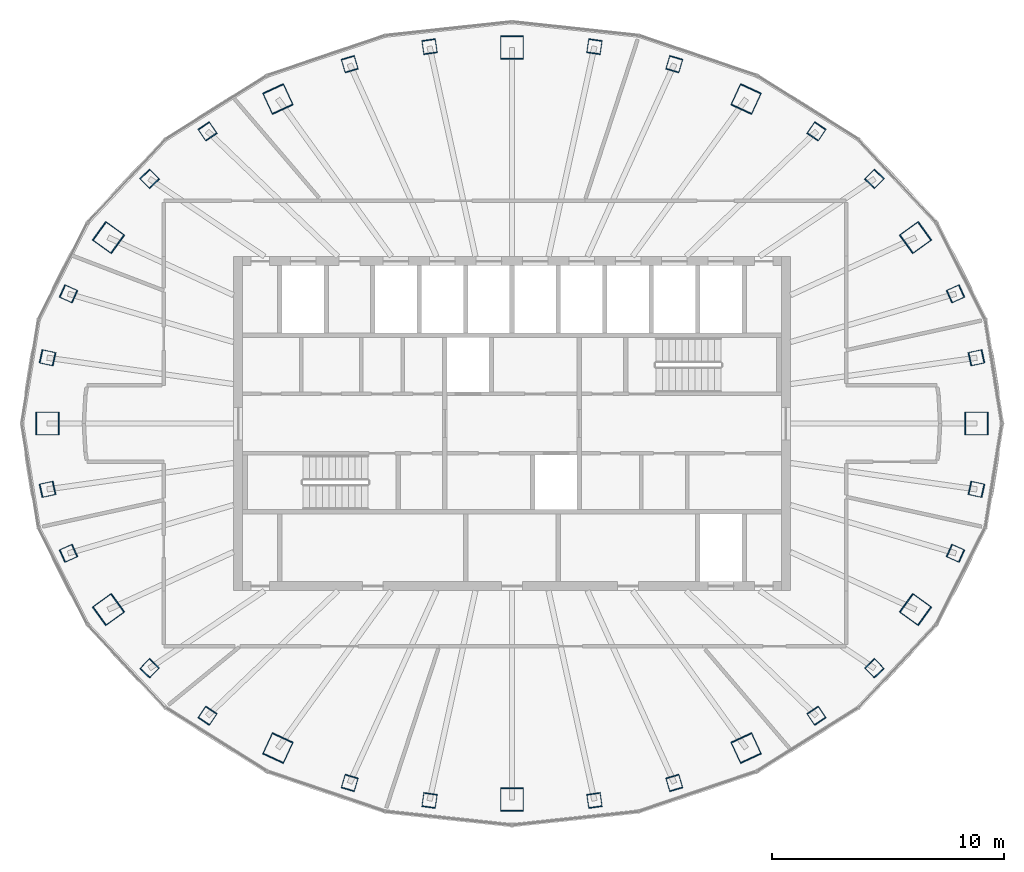
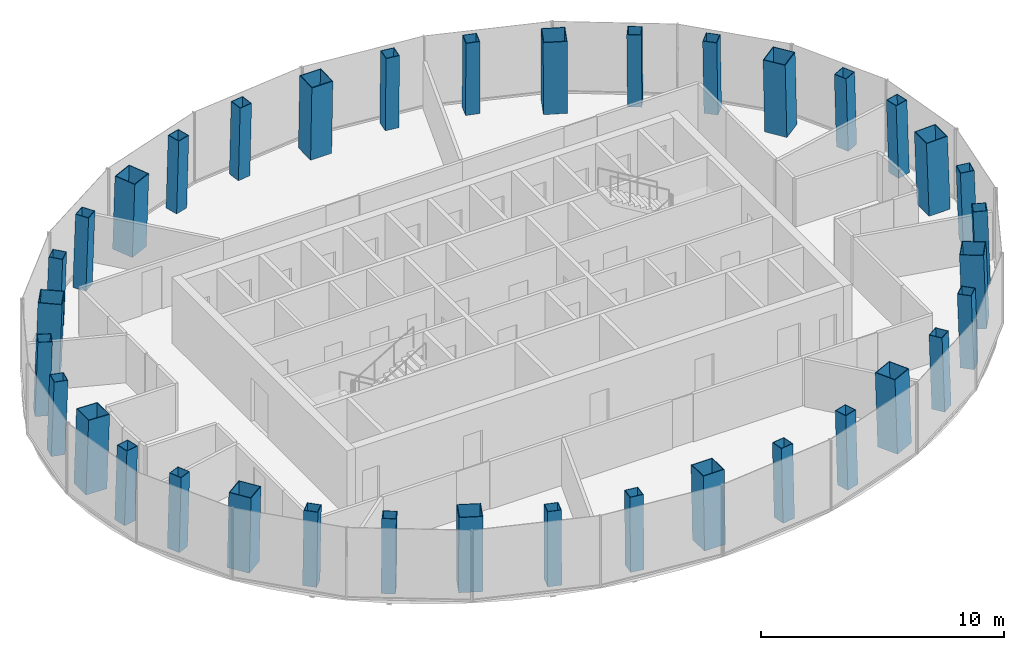
# One storey, part 1 of 11: 36 columns.
"""IFC4 building model written with IfcOpenShell, lengths in metres."""

from ifc_helpers import new_model, si_unit, direction, frame, origin, origin_2d, place, context, subcontext, project, spatial, hollow_rectangle, extrude, material, material_profile, profile_set, type_object, element, save


model = new_model("IFC4")

# Units and contexts
model_context = context("Model", 3, precision=1e-05, world=origin(), true_north=direction((0.0, 1.0)))
body_context = subcontext(model_context, "Body", "Model", "MODEL_VIEW")
ifc_project = project(units=[si_unit("LENGTHUNIT", "METRE"), si_unit("AREAUNIT", "SQUARE_METRE"), si_unit("VOLUMEUNIT", "CUBIC_METRE"), si_unit("PLANEANGLEUNIT", "RADIAN"), si_unit("MASSUNIT", "GRAM", prefix="KILO")], contexts=[model_context])

# Site, building, storey
site_placement = place(None, origin())
site = spatial("IfcSite", under=ifc_project, at=site_placement, CompositionType="ELEMENT")
building_placement = place(site_placement, origin())
building = spatial("IfcBuilding", under=site, at=building_placement, Name="Siaravel Broadcast Tower", CompositionType="ELEMENT")
storey_placement = place(building_placement, frame((0.0, 0.0, 243.0)))
storey = spatial("IfcBuildingStorey", under=building, at=storey_placement, Name="L59", CompositionType="ELEMENT", Elevation=243.0)

# Columns
ifc_material_1 = material(Name="Concrete C70/85", Category="concrete")
ifc_material_profile_1 = material_profile(ifc_material_1, hollow_rectangle(XDim=1.0, YDim=1.0, WallThickness=0.031982421875, at=origin_2d()))
ifc_profile_set_1 = profile_set([ifc_material_profile_1], Name="Concrete C70/85")
column_type_1 = type_object("IfcColumnType", Name="COL-CFT BOX 1000x1000x32", PredefinedType="COLUMN", material=ifc_profile_set_1)
column_1_placement = place(storey_placement, frame((20.031982421875, 0.0, 0.0), z_axis=(-0.034621265, 0.0, 0.999400504), x_axis=(0.0, -1.0, 0.0)))
element("IfcColumn", 1, at=column_1_placement, inside=storey, type_object=column_type_1, Name="Megacolumn MC01", PredefinedType="COLUMN", context=body_context, shape_type="SweptSolid", body=[
    extrude(hollow_rectangle(XDim=1.0, YDim=1.0, WallThickness=0.031982421875, at=origin_2d()), origin(), (0.0, 0.0, 1.0), 3.7021484375),
])
column_2_placement = place(storey_placement, frame((17.401611328125, 8.02099609375, 0.0), z_axis=(-0.029940667, -0.01417895, 0.999451106), x_axis=(0.584467899, -0.811394663, 0.005997926)))
element("IfcColumn", 2, at=column_2_placement, inside=storey, type_object=column_type_1, Name="Megacolumn MC02", PredefinedType="COLUMN", context=body_context, shape_type="SweptSolid", body=[
    extrude(hollow_rectangle(XDim=1.0, YDim=1.0, WallThickness=0.031982421875, at=origin_2d()), origin(), (0.0, 0.0, 1.0), 3.701904296875),
])
column_3_placement = place(storey_placement, frame((10.095703125, 13.995849609375, 0.0), z_axis=(-0.017346173, -0.024535271, 0.999548463), x_axis=(0.907979482, -0.418978889, 0.005472679)))
element("IfcColumn", 3, at=column_3_placement, inside=storey, type_object=column_type_1, Name="Megacolumn MC03", PredefinedType="COLUMN", context=body_context, shape_type="SweptSolid", body=[
    extrude(hollow_rectangle(XDim=1.0, YDim=1.0, WallThickness=0.031982421875, at=origin_2d()), origin(), (0.0, 0.0, 1.0), 3.70166015625),
])
column_4_placement = place(storey_placement, frame((0.0, 16.20947265625, 0.0), z_axis=(0.0, -0.02836206, 0.999597716), x_axis=(1.0, 0.0, 0.0)))
element("IfcColumn", 4, at=column_4_placement, inside=storey, type_object=column_type_1, Name="Megacolumn MC04", PredefinedType="COLUMN", context=body_context, shape_type="SweptSolid", body=[
    extrude(hollow_rectangle(XDim=1.0, YDim=1.0, WallThickness=0.031982421875, at=origin_2d()), origin(), (0.0, 0.0, 1.0), 3.701416015625),
])
column_5_placement = place(storey_placement, frame((-10.095703125, 13.995849609375, 0.0), z_axis=(0.017346173, -0.024535271, 0.999548463), x_axis=(0.907979482, 0.418978889, -0.005472679)))
element("IfcColumn", 5, at=column_5_placement, inside=storey, type_object=column_type_1, Name="Megacolumn MC05", PredefinedType="COLUMN", context=body_context, shape_type="SweptSolid", body=[
    extrude(hollow_rectangle(XDim=1.0, YDim=1.0, WallThickness=0.031982421875, at=origin_2d()), origin(), (0.0, 0.0, 1.0), 3.70166015625),
])
column_6_placement = place(storey_placement, frame((-17.401611328125, 8.02099609375, 0.0), z_axis=(0.029940667, -0.01417895, 0.999451106), x_axis=(0.584467899, 0.811394663, -0.005997926)))
element("IfcColumn", 6, at=column_6_placement, inside=storey, type_object=column_type_1, Name="Megacolumn MC06", PredefinedType="COLUMN", context=body_context, shape_type="SweptSolid", body=[
    extrude(hollow_rectangle(XDim=1.0, YDim=1.0, WallThickness=0.031982421875, at=origin_2d()), origin(), (0.0, 0.0, 1.0), 3.701904296875),
])
column_7_placement = place(storey_placement, frame((-20.031982421875, 0.0, 0.0), z_axis=(0.034621265, 0.0, 0.999400504), x_axis=(0.0, 1.0, 0.0)))
element("IfcColumn", 7, at=column_7_placement, inside=storey, type_object=column_type_1, Name="Megacolumn MC07", PredefinedType="COLUMN", context=body_context, shape_type="SweptSolid", body=[
    extrude(hollow_rectangle(XDim=1.0, YDim=1.0, WallThickness=0.031982421875, at=origin_2d()), origin(), (0.0, 0.0, 1.0), 3.7021484375),
])
column_8_placement = place(storey_placement, frame((-17.401611328125, -8.02099609375, 0.0), z_axis=(0.029940667, 0.01417895, 0.999451106), x_axis=(-0.584467899, 0.811394663, 0.005997926)))
element("IfcColumn", 8, at=column_8_placement, inside=storey, type_object=column_type_1, Name="Megacolumn MC08", PredefinedType="COLUMN", context=body_context, shape_type="SweptSolid", body=[
    extrude(hollow_rectangle(XDim=1.0, YDim=1.0, WallThickness=0.031982421875, at=origin_2d()), origin(), (0.0, 0.0, 1.0), 3.701904296875),
])
column_9_placement = place(storey_placement, frame((-10.095703125, -13.995849609375, 0.0), z_axis=(0.017346173, 0.024535271, 0.999548463), x_axis=(-0.907979482, 0.418978889, 0.005472679)))
element("IfcColumn", 9, at=column_9_placement, inside=storey, type_object=column_type_1, Name="Megacolumn MC09", PredefinedType="COLUMN", context=body_context, shape_type="SweptSolid", body=[
    extrude(hollow_rectangle(XDim=1.0, YDim=1.0, WallThickness=0.031982421875, at=origin_2d()), origin(), (0.0, 0.0, 1.0), 3.70166015625),
])
column_10_placement = place(storey_placement, frame((0.0, -16.20947265625, 0.0), z_axis=(0.0, 0.02836206, 0.999597716), x_axis=(-1.0, 0.0, 0.0)))
element("IfcColumn", 10, at=column_10_placement, inside=storey, type_object=column_type_1, Name="Megacolumn MC10", PredefinedType="COLUMN", context=body_context, shape_type="SweptSolid", body=[
    extrude(hollow_rectangle(XDim=1.0, YDim=1.0, WallThickness=0.031982421875, at=origin_2d()), origin(), (0.0, 0.0, 1.0), 3.701416015625),
])
column_11_placement = place(storey_placement, frame((10.095703125, -13.995849609375, 0.0), z_axis=(-0.017346173, 0.024535271, 0.999548463), x_axis=(-0.907979482, -0.418978889, -0.005472679)))
element("IfcColumn", 11, at=column_11_placement, inside=storey, type_object=column_type_1, Name="Megacolumn MC11", PredefinedType="COLUMN", context=body_context, shape_type="SweptSolid", body=[
    extrude(hollow_rectangle(XDim=1.0, YDim=1.0, WallThickness=0.031982421875, at=origin_2d()), origin(), (0.0, 0.0, 1.0), 3.70166015625),
])
column_12_placement = place(storey_placement, frame((17.401611328125, -8.02099609375, 0.0), z_axis=(-0.029940667, 0.01417895, 0.999451106), x_axis=(-0.584467899, -0.811394663, -0.005997926)))
element("IfcColumn", 12, at=column_12_placement, inside=storey, type_object=column_type_1, Name="Megacolumn MC12", PredefinedType="COLUMN", context=body_context, shape_type="SweptSolid", body=[
    extrude(hollow_rectangle(XDim=1.0, YDim=1.0, WallThickness=0.031982421875, at=origin_2d()), origin(), (0.0, 0.0, 1.0), 3.701904296875),
])
ifc_material_2 = material(Name="Concrete C50/60", Category="concrete")
ifc_material_profile_2 = material_profile(ifc_material_2, hollow_rectangle(XDim=0.60009765625, YDim=0.60009765625, WallThickness=0.02490234375, at=origin_2d()))
ifc_profile_set_2 = profile_set([ifc_material_profile_2], Name="Concrete C50/60")
column_type_2 = type_object("IfcColumnType", Name="COL-CFT BOX 600x600x25", PredefinedType="COLUMN", material=ifc_profile_set_2)
for number, where, z_axis, x_axis, name in (
    (13, (20.02880859375, 2.83740234375, 0.0), (-0.034093903, -0.004945924, 0.999406396), (0.213656716, -0.976905719, 0.002454147), "Perimeter column C01"),
    (14, (19.12646484375, 5.59521484375, 0.0), (-0.032511791, -0.009694185, 0.999424337), (0.410712809, -0.911753578, 0.004516901), "Perimeter column C02"),
):
    element("IfcColumn", number, at=place(storey_placement, frame(where, z_axis=z_axis, x_axis=x_axis)), inside=storey, type_object=column_type_2, Name=name, PredefinedType="COLUMN", context=body_context, shape_type="SweptSolid", body=[
        extrude(hollow_rectangle(XDim=0.60009765625, YDim=0.60009765625, WallThickness=0.02490234375, at=origin_2d()), origin(), (0.0, 0.0, 1.0), 3.7021484375),
    ])
column_13_placement = place(storey_placement, frame((15.629150390625, 10.5537109375, 0.0), z_axis=(-0.026512179, -0.018202391, 0.999482755), x_axis=(0.720866762, -0.693043188, 0.006500067)))
element("IfcColumn", 15, at=column_13_placement, inside=storey, type_object=column_type_2, Name="Perimeter column C03", PredefinedType="COLUMN", context=body_context, shape_type="SweptSolid", body=[
    extrude(hollow_rectangle(XDim=0.60009765625, YDim=0.60009765625, WallThickness=0.02490234375, at=origin_2d()), origin(), (0.0, 0.0, 1.0), 3.701904296875),
])
column_14_placement = place(storey_placement, frame((13.130126953125, 12.6005859375, 0.0), z_axis=(-0.022226124, -0.021764453, 0.999516037), x_axis=(0.829715578, -0.558150887, 0.006296559)))
element("IfcColumn", 16, at=column_14_placement, inside=storey, type_object=column_type_2, Name="Perimeter column C04", PredefinedType="COLUMN", context=body_context, shape_type="SweptSolid", body=[
    extrude(hollow_rectangle(XDim=0.60009765625, YDim=0.60009765625, WallThickness=0.02490234375, at=origin_2d()), origin(), (0.0, 0.0, 1.0), 3.70166015625),
])
for number, where, z_axis, x_axis, name in (
    (17, (6.9990234375, 15.498779296875, 0.0), (-0.011872234, -0.026580613, 0.999576171), (0.959458514, -0.281822883, 0.003901545), "Perimeter column C05"),
    (18, (3.55517578125, 16.254638671875, 0.0), (-0.006002173, -0.027900212, 0.999592693), (0.990208402, -0.139581939, 0.002049872), "Perimeter column C06"),
    (19, (-3.55517578125, 16.254638671875, 0.0), (0.006002173, -0.027900212, 0.999592693), (0.990208402, 0.139581939, -0.002049872), "Perimeter column C07"),
    (20, (-6.9990234375, 15.498779296875, 0.0), (0.011872234, -0.026580613, 0.999576171), (0.959458514, 0.281822883, -0.003901545), "Perimeter column C08"),
):
    element("IfcColumn", number, at=place(storey_placement, frame(where, z_axis=z_axis, x_axis=x_axis)), inside=storey, type_object=column_type_2, Name=name, PredefinedType="COLUMN", context=body_context, shape_type="SweptSolid", body=[
        extrude(hollow_rectangle(XDim=0.60009765625, YDim=0.60009765625, WallThickness=0.02490234375, at=origin_2d()), origin(), (0.0, 0.0, 1.0), 3.701416015625),
    ])
column_15_placement = place(storey_placement, frame((-13.130126953125, 12.6005859375, 0.0), z_axis=(0.022226124, -0.021764453, 0.999516037), x_axis=(0.829715578, 0.558150887, -0.006296559)))
element("IfcColumn", 21, at=column_15_placement, inside=storey, type_object=column_type_2, Name="Perimeter column C09", PredefinedType="COLUMN", context=body_context, shape_type="SweptSolid", body=[
    extrude(hollow_rectangle(XDim=0.60009765625, YDim=0.60009765625, WallThickness=0.02490234375, at=origin_2d()), origin(), (0.0, 0.0, 1.0), 3.70166015625),
])
column_16_placement = place(storey_placement, frame((-15.629150390625, 10.5537109375, 0.0), z_axis=(0.026512179, -0.018202391, 0.999482755), x_axis=(0.720866762, 0.693043188, -0.006500067)))
element("IfcColumn", 22, at=column_16_placement, inside=storey, type_object=column_type_2, Name="Perimeter column C10", PredefinedType="COLUMN", context=body_context, shape_type="SweptSolid", body=[
    extrude(hollow_rectangle(XDim=0.60009765625, YDim=0.60009765625, WallThickness=0.02490234375, at=origin_2d()), origin(), (0.0, 0.0, 1.0), 3.701904296875),
])
for number, where, z_axis, x_axis, name in (
    (23, (-19.12646484375, 5.59521484375, 0.0), (0.032511791, -0.009694185, 0.999424337), (0.410712809, 0.911753578, -0.004516901), "Perimeter column C11"),
    (24, (-20.02880859375, 2.83740234375, 0.0), (0.034093903, -0.004945924, 0.999406396), (0.213656716, 0.976905719, -0.002454147), "Perimeter column C12"),
    (25, (-20.02880859375, -2.83740234375, 0.0), (0.034093903, 0.004945924, 0.999406396), (-0.213656716, 0.976905719, 0.002454147), "Perimeter column C13"),
    (26, (-19.12646484375, -5.59521484375, 0.0), (0.032511791, 0.009694185, 0.999424337), (-0.410712809, 0.911753578, 0.004516901), "Perimeter column C14"),
):
    element("IfcColumn", number, at=place(storey_placement, frame(where, z_axis=z_axis, x_axis=x_axis)), inside=storey, type_object=column_type_2, Name=name, PredefinedType="COLUMN", context=body_context, shape_type="SweptSolid", body=[
        extrude(hollow_rectangle(XDim=0.60009765625, YDim=0.60009765625, WallThickness=0.02490234375, at=origin_2d()), origin(), (0.0, 0.0, 1.0), 3.7021484375),
    ])
column_17_placement = place(storey_placement, frame((-15.629150390625, -10.5537109375, 0.0), z_axis=(0.026512179, 0.018202391, 0.999482755), x_axis=(-0.720866762, 0.693043188, 0.006500067)))
element("IfcColumn", 27, at=column_17_placement, inside=storey, type_object=column_type_2, Name="Perimeter column C15", PredefinedType="COLUMN", context=body_context, shape_type="SweptSolid", body=[
    extrude(hollow_rectangle(XDim=0.60009765625, YDim=0.60009765625, WallThickness=0.02490234375, at=origin_2d()), origin(), (0.0, 0.0, 1.0), 3.701904296875),
])
column_18_placement = place(storey_placement, frame((-13.130126953125, -12.6005859375, 0.0), z_axis=(0.022226124, 0.021764453, 0.999516037), x_axis=(-0.829715578, 0.558150887, 0.006296559)))
element("IfcColumn", 28, at=column_18_placement, inside=storey, type_object=column_type_2, Name="Perimeter column C16", PredefinedType="COLUMN", context=body_context, shape_type="SweptSolid", body=[
    extrude(hollow_rectangle(XDim=0.60009765625, YDim=0.60009765625, WallThickness=0.02490234375, at=origin_2d()), origin(), (0.0, 0.0, 1.0), 3.70166015625),
])
for number, where, z_axis, x_axis, name in (
    (29, (-6.9990234375, -15.498779296875, 0.0), (0.011872234, 0.026580613, 0.999576171), (-0.959458514, 0.281822883, 0.003901545), "Perimeter column C17"),
    (30, (-3.55517578125, -16.254638671875, 0.0), (0.006002173, 0.027900212, 0.999592693), (-0.990208402, 0.139581939, 0.002049872), "Perimeter column C18"),
    (31, (3.55517578125, -16.254638671875, 0.0), (-0.006002173, 0.027900212, 0.999592693), (-0.990208402, -0.139581939, -0.002049872), "Perimeter column C19"),
    (32, (6.9990234375, -15.498779296875, 0.0), (-0.011872234, 0.026580613, 0.999576171), (-0.959458514, -0.281822883, -0.003901545), "Perimeter column C20"),
):
    element("IfcColumn", number, at=place(storey_placement, frame(where, z_axis=z_axis, x_axis=x_axis)), inside=storey, type_object=column_type_2, Name=name, PredefinedType="COLUMN", context=body_context, shape_type="SweptSolid", body=[
        extrude(hollow_rectangle(XDim=0.60009765625, YDim=0.60009765625, WallThickness=0.02490234375, at=origin_2d()), origin(), (0.0, 0.0, 1.0), 3.701416015625),
    ])
column_19_placement = place(storey_placement, frame((13.130126953125, -12.6005859375, 0.0), z_axis=(-0.022226124, 0.021764453, 0.999516037), x_axis=(-0.829715578, -0.558150887, -0.006296559)))
element("IfcColumn", 33, at=column_19_placement, inside=storey, type_object=column_type_2, Name="Perimeter column C21", PredefinedType="COLUMN", context=body_context, shape_type="SweptSolid", body=[
    extrude(hollow_rectangle(XDim=0.60009765625, YDim=0.60009765625, WallThickness=0.02490234375, at=origin_2d()), origin(), (0.0, 0.0, 1.0), 3.70166015625),
])
column_20_placement = place(storey_placement, frame((15.629150390625, -10.5537109375, 0.0), z_axis=(-0.026512179, 0.018202391, 0.999482755), x_axis=(-0.720866762, -0.693043188, -0.006500067)))
element("IfcColumn", 34, at=column_20_placement, inside=storey, type_object=column_type_2, Name="Perimeter column C22", PredefinedType="COLUMN", context=body_context, shape_type="SweptSolid", body=[
    extrude(hollow_rectangle(XDim=0.60009765625, YDim=0.60009765625, WallThickness=0.02490234375, at=origin_2d()), origin(), (0.0, 0.0, 1.0), 3.701904296875),
])
for number, where, z_axis, x_axis, name in (
    (35, (19.12646484375, -5.59521484375, 0.0), (-0.032511791, 0.009694185, 0.999424337), (-0.410712809, -0.911753578, -0.004516901), "Perimeter column C23"),
    (36, (20.02880859375, -2.83740234375, 0.0), (-0.034093903, 0.004945924, 0.999406396), (-0.213656716, -0.976905719, -0.002454147), "Perimeter column C24"),
):
    element("IfcColumn", number, at=place(storey_placement, frame(where, z_axis=z_axis, x_axis=x_axis)), inside=storey, type_object=column_type_2, Name=name, PredefinedType="COLUMN", context=body_context, shape_type="SweptSolid", body=[
        extrude(hollow_rectangle(XDim=0.60009765625, YDim=0.60009765625, WallThickness=0.02490234375, at=origin_2d()), origin(), (0.0, 0.0, 1.0), 3.7021484375),
    ])

save(model, "model.ifc")
